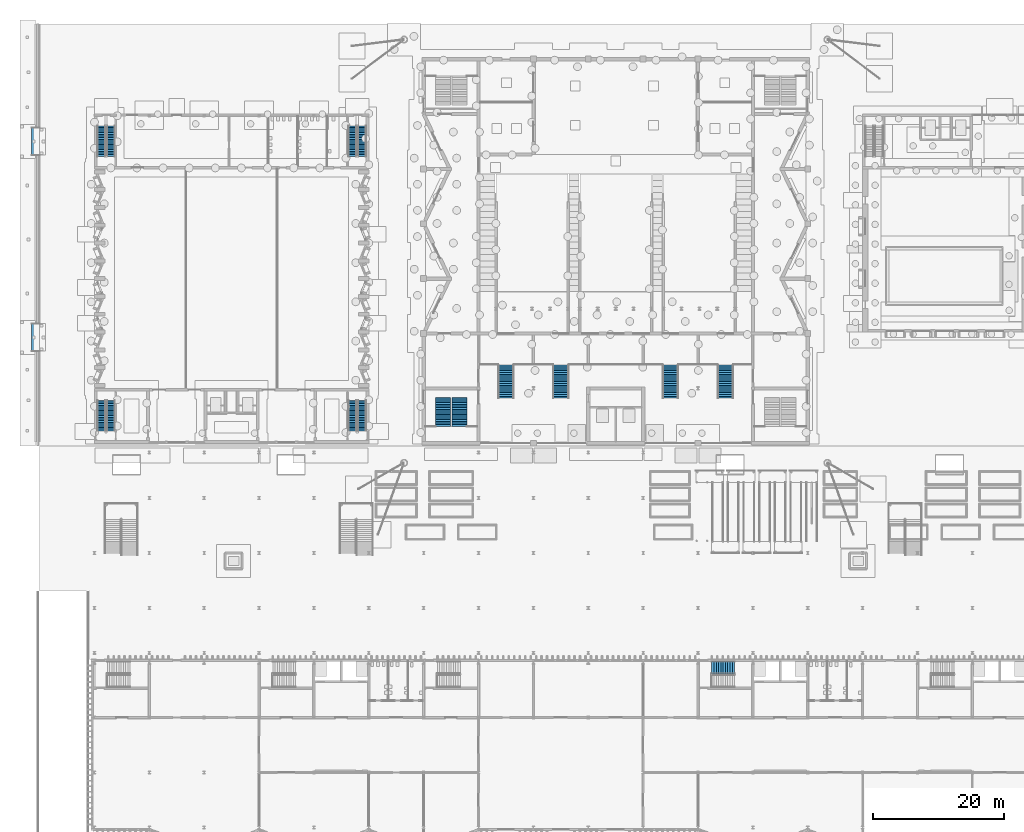
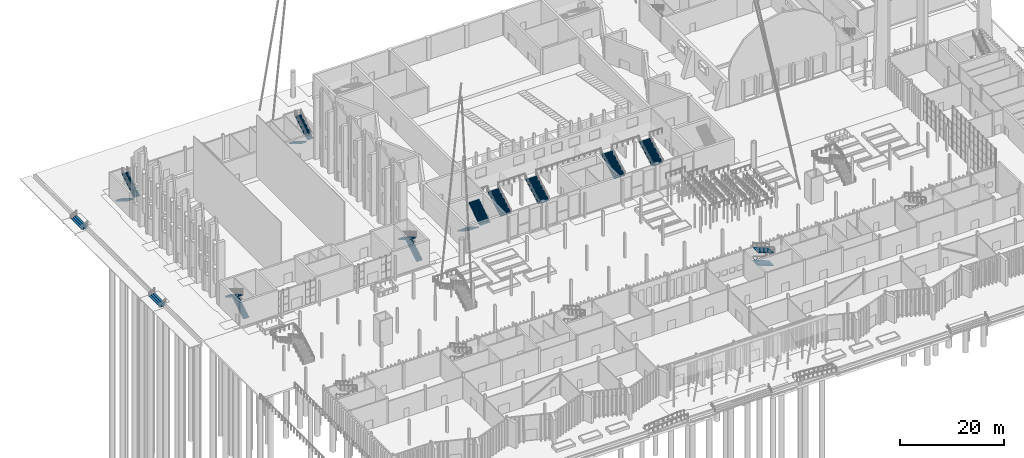
# One storey, part 78 of 108: 18 stair flights, 12 elements without a shape of their own.
"""IFC4 building model written with IfcOpenShell, lengths in metres."""

from ifc_helpers import new_model, si_unit, direction, frame, origin, place, context, subcontext, project, spatial, polyline, outline, extrude, material, type_object, element, aggregate, save


model = new_model("IFC4")

# Units and contexts
model_context = context("Model", 3, precision=1e-05, world=origin(), true_north=direction((0.0, 1.0)))
body_context = subcontext(model_context, "Body", "Model", "MODEL_VIEW")
ifc_project = project(units=[si_unit("LENGTHUNIT", "METRE"), si_unit("AREAUNIT", "SQUARE_METRE"), si_unit("VOLUMEUNIT", "CUBIC_METRE"), si_unit("PLANEANGLEUNIT", "RADIAN"), si_unit("MASSUNIT", "GRAM", prefix="KILO")], contexts=[model_context])

# Site, building, storey
site_placement = place(None, origin())
site = spatial("IfcSite", under=ifc_project, at=site_placement, CompositionType="ELEMENT")
building_placement = place(site_placement, origin())
building = spatial("IfcBuilding", under=site, at=building_placement, Name="Cresset Court Congress Hotel", CompositionType="ELEMENT")
storey_placement = place(building_placement, origin())
storey = spatial("IfcBuildingStorey", under=building, at=storey_placement, Name="L00", CompositionType="ELEMENT", Elevation=0.0)

# Stair, stair flights
ifc_material_1 = material(Name="Concrete C40", Category="concrete")
stair_type_1 = type_object("IfcStairType", Name="Core stair", PredefinedType="STRAIGHT_RUN_STAIR", material=ifc_material_1)
stair_1_placement = place(storey_placement, origin())
stair_1 = element("IfcStair", 1, at=stair_1_placement, inside=storey, type_object=stair_type_1, Name="Stair ST-C1 L00", PredefinedType="STRAIGHT_RUN_STAIR")
ifc_material_2 = material(Name="Concrete C40", Category="concrete")
stair_flight_type_1 = type_object("IfcStairFlightType", Name="Core stair flight", PredefinedType="STRAIGHT", material=ifc_material_2)
stair_flight_1_placement = place(storey_placement, frame((61.75, 65.800048828125, 0.0), z_axis=(0.0, 0.0, 1.0), x_axis=(0.0, -1.0, 0.0)))
stair_flight_1 = element("IfcStairFlight", 2, at=stair_flight_1_placement, type_object=stair_flight_type_1, Name="C-ST flight 1", NumberOfRisers=18, NumberOfTreads=17, PredefinedType="STRAIGHT", RiserHeight=0.166666667, TreadLength=0.26, context=body_context, shape_type="SweptSolid", body=[
    extrude(outline(polyline([(0.0, 0.0), (0.0, 0.166748046875), (0.260009765625, 0.166748046875), (0.260009765625, 0.333251953125), (0.52001953125, 0.333251953125), (0.52001953125, 0.5), (0.780029296875, 0.5), (0.780029296875, 0.666748046875), (1.0400390625, 0.666748046875), (1.0400390625, 0.833251953125), (1.300048828125, 0.833251953125), (1.300048828125, 1.0), (1.56005859375, 1.0), (1.56005859375, 1.166748046875), (1.820068359375, 1.166748046875), (1.820068359375, 1.333251953125), (2.080078125, 1.333251953125), (2.080078125, 1.5), (2.340087890625, 1.5), (2.340087890625, 1.666748046875), (2.60009765625, 1.666748046875), (2.60009765625, 1.833251953125), (2.860107421875, 1.833251953125), (2.860107421875, 2.0), (3.1201171875, 2.0), (3.1201171875, 2.166748046875), (3.3798828125, 2.166748046875), (3.3798828125, 2.333251953125), (3.639892578125, 2.333251953125), (3.639892578125, 2.5), (3.89990234375, 2.5), (3.89990234375, 2.666748046875), (4.159912109375, 2.666748046875), (4.159912109375, 2.833251953125), (4.419921875, 2.833251953125), (4.419921875, 3.0), (4.419921875, 2.6552734375), (0.27783203125, 0.0), (0.0, 0.0)])), frame((0.0, 1.14990234375, 0.0), z_axis=(0.0, -1.0, 0.0), x_axis=(1.0, 0.0, 0.0)), (0.0, 0.0, 1.0), 2.300048828125),
])
stair_flight_2_placement = place(storey_placement, frame((64.25, 61.3798828125, 3.0), z_axis=(0.0, 0.0, 1.0), x_axis=(0.0, 1.0, 0.0)))
stair_flight_2 = element("IfcStairFlight", 3, at=stair_flight_2_placement, type_object=stair_flight_type_1, Name="C-ST flight 2", NumberOfRisers=18, NumberOfTreads=17, PredefinedType="STRAIGHT", RiserHeight=0.166666667, TreadLength=0.26, context=body_context, shape_type="SweptSolid", body=[
    extrude(outline(polyline([(0.0, 0.0), (0.0, 0.166748046875), (0.260009765625, 0.166748046875), (0.260009765625, 0.333251953125), (0.52001953125, 0.333251953125), (0.52001953125, 0.5), (0.780029296875, 0.5), (0.780029296875, 0.666748046875), (1.0400390625, 0.666748046875), (1.0400390625, 0.833251953125), (1.300048828125, 0.833251953125), (1.300048828125, 1.0), (1.56005859375, 1.0), (1.56005859375, 1.166748046875), (1.820068359375, 1.166748046875), (1.820068359375, 1.333251953125), (2.080078125, 1.333251953125), (2.080078125, 1.5), (2.340087890625, 1.5), (2.340087890625, 1.666748046875), (2.60009765625, 1.666748046875), (2.60009765625, 1.833251953125), (2.860107421875, 1.833251953125), (2.860107421875, 2.0), (3.1201171875, 2.0), (3.1201171875, 2.166748046875), (3.3798828125, 2.166748046875), (3.3798828125, 2.333251953125), (3.639892578125, 2.333251953125), (3.639892578125, 2.5), (3.89990234375, 2.5), (3.89990234375, 2.666748046875), (4.159912109375, 2.666748046875), (4.159912109375, 2.833251953125), (4.419921875, 2.833251953125), (4.419921875, 3.0), (4.419921875, 2.6552734375), (0.27783203125, 0.0), (0.0, 0.0)])), frame((0.0, 1.14990234375, 0.0), z_axis=(0.0, -1.0, 0.0), x_axis=(1.0, 0.0, 0.0)), (0.0, 0.0, 1.0), 2.300048828125),
])
aggregate(stair_1, [stair_flight_1, stair_flight_2])

# Stair, stair flight
ifc_material_3 = material(Name="Concrete C35", Category="concrete")
stair_type_2 = type_object("IfcStairType", Name="External stair 4 risers", PredefinedType="STRAIGHT_RUN_STAIR", material=ifc_material_3)
stair_2_placement = place(storey_placement, origin())
stair_2 = element("IfcStair", 4, at=stair_2_placement, inside=storey, type_object=stair_type_2, Name="Passage steps W01", PredefinedType="STRAIGHT_RUN_STAIR")
ifc_material_4 = material(Name="Concrete C35", Category="concrete")
stair_flight_type_2 = type_object("IfcStairFlightType", Name="Entrance step flight on grade", PredefinedType="STRAIGHT", material=ifc_material_4)
stair_flight_3_placement = place(storey_placement, frame((-1.199951171875, 75.0, -0.60009765625), z_axis=(0.0, 0.0, 1.0), x_axis=(1.0, 0.0, 0.0)))
stair_flight_3 = element("IfcStairFlight", 5, at=stair_flight_3_placement, type_object=stair_flight_type_2, Name="S-ST1 flight 1", NumberOfRisers=4, NumberOfTreads=3, PredefinedType="STRAIGHT", RiserHeight=0.15, TreadLength=0.4, context=body_context, shape_type="SweptSolid", body=[
    extrude(outline(polyline([(0.0, 0.0), (0.0, 0.14990234375), (0.39990234375, 0.14990234375), (0.39990234375, 0.300048828125), (0.800048828125, 0.300048828125), (0.800048828125, 0.449951171875), (1.199951171875, 0.449951171875), (1.199951171875, 0.60009765625), (1.199951171875, 0.02294921875), (1.138916015625, 0.0), (0.0, 0.0)])), frame((0.0, 2.10009765625, 0.0), z_axis=(0.0, -1.0, 0.0), x_axis=(1.0, 0.0, 0.0)), (0.0, 0.0, 1.0), 4.199951171875),
])
aggregate(stair_2, [stair_flight_3])

stair_3_placement = place(storey_placement, origin())
stair_3 = element("IfcStair", 6, at=stair_3_placement, inside=storey, type_object=stair_type_2, Name="Passage steps W02", PredefinedType="STRAIGHT_RUN_STAIR")
stair_flight_4_placement = place(storey_placement, frame((-1.199951171875, 105.0, -0.60009765625), z_axis=(0.0, 0.0, 1.0), x_axis=(1.0, 0.0, 0.0)))
stair_flight_4 = element("IfcStairFlight", 7, at=stair_flight_4_placement, type_object=stair_flight_type_2, Name="S-ST1 flight 1", NumberOfRisers=4, NumberOfTreads=3, PredefinedType="STRAIGHT", RiserHeight=0.15, TreadLength=0.4, context=body_context, shape_type="SweptSolid", body=[
    extrude(outline(polyline([(0.0, 0.0), (0.0, 0.14990234375), (0.39990234375, 0.14990234375), (0.39990234375, 0.300048828125), (0.800048828125, 0.300048828125), (0.800048828125, 0.449951171875), (1.199951171875, 0.449951171875), (1.199951171875, 0.60009765625), (1.199951171875, 0.02294921875), (1.138916015625, 0.0), (0.0, 0.0)])), frame((0.0, 2.10009765625, 0.0), z_axis=(0.0, -1.0, 0.0), x_axis=(1.0, 0.0, 0.0)), (0.0, 0.0, 1.0), 4.199951171875),
])
aggregate(stair_3, [stair_flight_4])

# Stair, stair flights
ifc_material_5 = material(Name="Half-turn stair 1300")
stair_type_3 = type_object("IfcStairType", Name="Half-turn stair 1300", PredefinedType="HALF_TURN_STAIR", material=ifc_material_5)
stair_4_placement = place(storey_placement, origin())
stair_4 = element("IfcStair", 8, at=stair_4_placement, inside=storey, type_object=stair_type_3, Name="L00 stair", PredefinedType="HALF_TURN_STAIR")
ifc_material_6 = material(Name="Stair flight 1300")
stair_flight_type_3 = type_object("IfcStairFlightType", Name="Stair flight 1300", PredefinedType="STRAIGHT", material=ifc_material_6)
stair_flight_5_placement = place(storey_placement, frame((10.89990234375, 60.699951171875, 0.0), z_axis=(0.0, 0.0, 1.0), x_axis=(0.0, 1.0, 0.0)))
stair_flight_5 = element("IfcStairFlight", 9, at=stair_flight_5_placement, type_object=stair_flight_type_3, Name="ST-D1 flight 1", NumberOfRisers=19, NumberOfTreads=18, PredefinedType="STRAIGHT", RiserHeight=0.157894737, TreadLength=0.26, context=body_context, shape_type="SweptSolid", body=[
    extrude(outline(polyline([(0.0, 0.0), (0.0, 0.157958984375), (0.260009765625, 0.157958984375), (0.260009765625, 0.315673828125), (0.52001953125, 0.315673828125), (0.52001953125, 0.4736328125), (0.780029296875, 0.4736328125), (0.780029296875, 0.631591796875), (1.0400390625, 0.631591796875), (1.0400390625, 0.78955078125), (1.300048828125, 0.78955078125), (1.300048828125, 0.947265625), (1.56005859375, 0.947265625), (1.56005859375, 1.105224609375), (1.820068359375, 1.105224609375), (1.820068359375, 1.26318359375), (2.080078125, 1.26318359375), (2.080078125, 1.421142578125), (2.340087890625, 1.421142578125), (2.340087890625, 1.578857421875), (2.60009765625, 1.578857421875), (2.60009765625, 1.73681640625), (2.860107421875, 1.73681640625), (2.860107421875, 1.894775390625), (3.1201171875, 1.894775390625), (3.1201171875, 2.052734375), (3.3798828125, 2.052734375), (3.3798828125, 2.21044921875), (3.639892578125, 2.21044921875), (3.639892578125, 2.368408203125), (3.89990234375, 2.368408203125), (3.89990234375, 2.5263671875), (4.159912109375, 2.5263671875), (4.159912109375, 2.684326171875), (4.419921875, 2.684326171875), (4.419921875, 2.842041015625), (4.679931640625, 2.842041015625), (4.679931640625, 3.0), (4.679931640625, 2.666748046875), (0.288818359375, 0.0), (0.0, 0.0)])), frame((0.0, 0.64990234375, 0.0), z_axis=(0.0, -1.0, 0.0), x_axis=(1.0, 0.0, 0.0)), (0.0, 0.0, 1.0), 1.300048828125),
])
stair_flight_6_placement = place(storey_placement, frame((9.449951171875, 65.3798828125, 3.0), z_axis=(0.0, 0.0, 1.0), x_axis=(0.0, -1.0, 0.0)))
stair_flight_6 = element("IfcStairFlight", 10, at=stair_flight_6_placement, type_object=stair_flight_type_3, Name="ST-D1 flight 2", NumberOfRisers=19, NumberOfTreads=18, PredefinedType="STRAIGHT", RiserHeight=0.157894737, TreadLength=0.26, context=body_context, shape_type="SweptSolid", body=[
    extrude(outline(polyline([(0.0, 0.0), (0.0, 0.157958984375), (0.260009765625, 0.157958984375), (0.260009765625, 0.315673828125), (0.52001953125, 0.315673828125), (0.52001953125, 0.4736328125), (0.780029296875, 0.4736328125), (0.780029296875, 0.631591796875), (1.0400390625, 0.631591796875), (1.0400390625, 0.78955078125), (1.300048828125, 0.78955078125), (1.300048828125, 0.947265625), (1.56005859375, 0.947265625), (1.56005859375, 1.105224609375), (1.820068359375, 1.105224609375), (1.820068359375, 1.26318359375), (2.080078125, 1.26318359375), (2.080078125, 1.421142578125), (2.340087890625, 1.421142578125), (2.340087890625, 1.578857421875), (2.60009765625, 1.578857421875), (2.60009765625, 1.73681640625), (2.860107421875, 1.73681640625), (2.860107421875, 1.894775390625), (3.1201171875, 1.894775390625), (3.1201171875, 2.052734375), (3.3798828125, 2.052734375), (3.3798828125, 2.21044921875), (3.639892578125, 2.21044921875), (3.639892578125, 2.368408203125), (3.89990234375, 2.368408203125), (3.89990234375, 2.5263671875), (4.159912109375, 2.5263671875), (4.159912109375, 2.684326171875), (4.419921875, 2.684326171875), (4.419921875, 2.842041015625), (4.679931640625, 2.842041015625), (4.679931640625, 3.0), (4.679931640625, 2.666748046875), (0.288818359375, 0.0), (0.0, 0.0)])), frame((0.0, 0.64990234375, 0.0), z_axis=(0.0, -1.0, 0.0), x_axis=(1.0, 0.0, 0.0)), (0.0, 0.0, 1.0), 1.300048828125),
])
aggregate(stair_4, [stair_flight_5, stair_flight_6])

stair_5_placement = place(storey_placement, origin())
stair_5 = element("IfcStair", 11, at=stair_5_placement, inside=storey, type_object=stair_type_3, Name="L00 stair", PredefinedType="HALF_TURN_STAIR")
stair_flight_7_placement = place(storey_placement, frame((49.35009765625, 60.699951171875, 0.0), z_axis=(0.0, 0.0, 1.0), x_axis=(0.0, 1.0, 0.0)))
stair_flight_7 = element("IfcStairFlight", 12, at=stair_flight_7_placement, type_object=stair_flight_type_3, Name="ST-D2 flight 1", NumberOfRisers=19, NumberOfTreads=18, PredefinedType="STRAIGHT", RiserHeight=0.157894737, TreadLength=0.26, context=body_context, shape_type="SweptSolid", body=[
    extrude(outline(polyline([(0.0, 0.0), (0.0, 0.157958984375), (0.260009765625, 0.157958984375), (0.260009765625, 0.315673828125), (0.52001953125, 0.315673828125), (0.52001953125, 0.4736328125), (0.780029296875, 0.4736328125), (0.780029296875, 0.631591796875), (1.0400390625, 0.631591796875), (1.0400390625, 0.78955078125), (1.300048828125, 0.78955078125), (1.300048828125, 0.947265625), (1.56005859375, 0.947265625), (1.56005859375, 1.105224609375), (1.820068359375, 1.105224609375), (1.820068359375, 1.26318359375), (2.080078125, 1.26318359375), (2.080078125, 1.421142578125), (2.340087890625, 1.421142578125), (2.340087890625, 1.578857421875), (2.60009765625, 1.578857421875), (2.60009765625, 1.73681640625), (2.860107421875, 1.73681640625), (2.860107421875, 1.894775390625), (3.1201171875, 1.894775390625), (3.1201171875, 2.052734375), (3.3798828125, 2.052734375), (3.3798828125, 2.21044921875), (3.639892578125, 2.21044921875), (3.639892578125, 2.368408203125), (3.89990234375, 2.368408203125), (3.89990234375, 2.5263671875), (4.159912109375, 2.5263671875), (4.159912109375, 2.684326171875), (4.419921875, 2.684326171875), (4.419921875, 2.842041015625), (4.679931640625, 2.842041015625), (4.679931640625, 3.0), (4.679931640625, 2.666748046875), (0.288818359375, 0.0), (0.0, 0.0)])), frame((0.0, 0.64990234375, 0.0), z_axis=(0.0, -1.0, 0.0), x_axis=(1.0, 0.0, 0.0)), (0.0, 0.0, 1.0), 1.300048828125),
])
stair_flight_8_placement = place(storey_placement, frame((47.89990234375, 65.3798828125, 3.0), z_axis=(0.0, 0.0, 1.0), x_axis=(0.0, -1.0, 0.0)))
stair_flight_8 = element("IfcStairFlight", 13, at=stair_flight_8_placement, type_object=stair_flight_type_3, Name="ST-D2 flight 2", NumberOfRisers=19, NumberOfTreads=18, PredefinedType="STRAIGHT", RiserHeight=0.157894737, TreadLength=0.26, context=body_context, shape_type="SweptSolid", body=[
    extrude(outline(polyline([(0.0, 0.0), (0.0, 0.157958984375), (0.260009765625, 0.157958984375), (0.260009765625, 0.315673828125), (0.52001953125, 0.315673828125), (0.52001953125, 0.4736328125), (0.780029296875, 0.4736328125), (0.780029296875, 0.631591796875), (1.0400390625, 0.631591796875), (1.0400390625, 0.78955078125), (1.300048828125, 0.78955078125), (1.300048828125, 0.947265625), (1.56005859375, 0.947265625), (1.56005859375, 1.105224609375), (1.820068359375, 1.105224609375), (1.820068359375, 1.26318359375), (2.080078125, 1.26318359375), (2.080078125, 1.421142578125), (2.340087890625, 1.421142578125), (2.340087890625, 1.578857421875), (2.60009765625, 1.578857421875), (2.60009765625, 1.73681640625), (2.860107421875, 1.73681640625), (2.860107421875, 1.894775390625), (3.1201171875, 1.894775390625), (3.1201171875, 2.052734375), (3.3798828125, 2.052734375), (3.3798828125, 2.21044921875), (3.639892578125, 2.21044921875), (3.639892578125, 2.368408203125), (3.89990234375, 2.368408203125), (3.89990234375, 2.5263671875), (4.159912109375, 2.5263671875), (4.159912109375, 2.684326171875), (4.419921875, 2.684326171875), (4.419921875, 2.842041015625), (4.679931640625, 2.842041015625), (4.679931640625, 3.0), (4.679931640625, 2.666748046875), (0.288818359375, 0.0), (0.0, 0.0)])), frame((0.0, 0.64990234375, 0.0), z_axis=(0.0, -1.0, 0.0), x_axis=(1.0, 0.0, 0.0)), (0.0, 0.0, 1.0), 1.300048828125),
])
aggregate(stair_5, [stair_flight_7, stair_flight_8])

stair_6_placement = place(storey_placement, origin())
stair_6 = element("IfcStair", 14, at=stair_6_placement, inside=storey, type_object=stair_type_3, Name="L00 stair", PredefinedType="HALF_TURN_STAIR")
stair_flight_9_placement = place(storey_placement, frame((9.449951171875, 107.39990234375, 0.0), z_axis=(0.0, 0.0, 1.0), x_axis=(0.0, -1.0, 0.0)))
stair_flight_9 = element("IfcStairFlight", 15, at=stair_flight_9_placement, type_object=stair_flight_type_3, Name="ST-D3 flight 1", NumberOfRisers=19, NumberOfTreads=18, PredefinedType="STRAIGHT", RiserHeight=0.157894737, TreadLength=0.26, context=body_context, shape_type="SweptSolid", body=[
    extrude(outline(polyline([(0.0, 0.0), (0.0, 0.157958984375), (0.260009765625, 0.157958984375), (0.260009765625, 0.315673828125), (0.52001953125, 0.315673828125), (0.52001953125, 0.4736328125), (0.780029296875, 0.4736328125), (0.780029296875, 0.631591796875), (1.0400390625, 0.631591796875), (1.0400390625, 0.78955078125), (1.300048828125, 0.78955078125), (1.300048828125, 0.947265625), (1.56005859375, 0.947265625), (1.56005859375, 1.105224609375), (1.820068359375, 1.105224609375), (1.820068359375, 1.26318359375), (2.080078125, 1.26318359375), (2.080078125, 1.421142578125), (2.340087890625, 1.421142578125), (2.340087890625, 1.578857421875), (2.60009765625, 1.578857421875), (2.60009765625, 1.73681640625), (2.860107421875, 1.73681640625), (2.860107421875, 1.894775390625), (3.1201171875, 1.894775390625), (3.1201171875, 2.052734375), (3.3798828125, 2.052734375), (3.3798828125, 2.21044921875), (3.639892578125, 2.21044921875), (3.639892578125, 2.368408203125), (3.89990234375, 2.368408203125), (3.89990234375, 2.5263671875), (4.159912109375, 2.5263671875), (4.159912109375, 2.684326171875), (4.419921875, 2.684326171875), (4.419921875, 2.842041015625), (4.679931640625, 2.842041015625), (4.679931640625, 3.0), (4.679931640625, 2.666748046875), (0.288818359375, 0.0), (0.0, 0.0)])), frame((0.0, 0.64990234375, 0.0), z_axis=(0.0, -1.0, 0.0), x_axis=(1.0, 0.0, 0.0)), (0.0, 0.0, 1.0), 1.300048828125),
])
stair_flight_10_placement = place(storey_placement, frame((10.89990234375, 102.719970703125, 3.0), z_axis=(0.0, 0.0, 1.0), x_axis=(0.0, 1.0, 0.0)))
stair_flight_10 = element("IfcStairFlight", 16, at=stair_flight_10_placement, type_object=stair_flight_type_3, Name="ST-D3 flight 2", NumberOfRisers=19, NumberOfTreads=18, PredefinedType="STRAIGHT", RiserHeight=0.157894737, TreadLength=0.26, context=body_context, shape_type="SweptSolid", body=[
    extrude(outline(polyline([(0.0, 0.0), (0.0, 0.157958984375), (0.260009765625, 0.157958984375), (0.260009765625, 0.315673828125), (0.52001953125, 0.315673828125), (0.52001953125, 0.4736328125), (0.780029296875, 0.4736328125), (0.780029296875, 0.631591796875), (1.0400390625, 0.631591796875), (1.0400390625, 0.78955078125), (1.300048828125, 0.78955078125), (1.300048828125, 0.947265625), (1.56005859375, 0.947265625), (1.56005859375, 1.105224609375), (1.820068359375, 1.105224609375), (1.820068359375, 1.26318359375), (2.080078125, 1.26318359375), (2.080078125, 1.421142578125), (2.340087890625, 1.421142578125), (2.340087890625, 1.578857421875), (2.60009765625, 1.578857421875), (2.60009765625, 1.73681640625), (2.860107421875, 1.73681640625), (2.860107421875, 1.894775390625), (3.1201171875, 1.894775390625), (3.1201171875, 2.052734375), (3.3798828125, 2.052734375), (3.3798828125, 2.21044921875), (3.639892578125, 2.21044921875), (3.639892578125, 2.368408203125), (3.89990234375, 2.368408203125), (3.89990234375, 2.5263671875), (4.159912109375, 2.5263671875), (4.159912109375, 2.684326171875), (4.419921875, 2.684326171875), (4.419921875, 2.842041015625), (4.679931640625, 2.842041015625), (4.679931640625, 3.0), (4.679931640625, 2.666748046875), (0.288818359375, 0.0), (0.0, 0.0)])), frame((0.0, 0.64990234375, 0.0), z_axis=(0.0, -1.0, 0.0), x_axis=(1.0, 0.0, 0.0)), (0.0, 0.0, 1.0), 1.300048828125),
])
aggregate(stair_6, [stair_flight_9, stair_flight_10])

stair_7_placement = place(storey_placement, origin())
stair_7 = element("IfcStair", 17, at=stair_7_placement, inside=storey, type_object=stair_type_3, Name="L00 stair", PredefinedType="HALF_TURN_STAIR")
stair_flight_11_placement = place(storey_placement, frame((47.89990234375, 107.39990234375, 0.0), z_axis=(0.0, 0.0, 1.0), x_axis=(0.0, -1.0, 0.0)))
stair_flight_11 = element("IfcStairFlight", 18, at=stair_flight_11_placement, type_object=stair_flight_type_3, Name="ST-D4 flight 1", NumberOfRisers=19, NumberOfTreads=18, PredefinedType="STRAIGHT", RiserHeight=0.157894737, TreadLength=0.26, context=body_context, shape_type="SweptSolid", body=[
    extrude(outline(polyline([(0.0, 0.0), (0.0, 0.157958984375), (0.260009765625, 0.157958984375), (0.260009765625, 0.315673828125), (0.52001953125, 0.315673828125), (0.52001953125, 0.4736328125), (0.780029296875, 0.4736328125), (0.780029296875, 0.631591796875), (1.0400390625, 0.631591796875), (1.0400390625, 0.78955078125), (1.300048828125, 0.78955078125), (1.300048828125, 0.947265625), (1.56005859375, 0.947265625), (1.56005859375, 1.105224609375), (1.820068359375, 1.105224609375), (1.820068359375, 1.26318359375), (2.080078125, 1.26318359375), (2.080078125, 1.421142578125), (2.340087890625, 1.421142578125), (2.340087890625, 1.578857421875), (2.60009765625, 1.578857421875), (2.60009765625, 1.73681640625), (2.860107421875, 1.73681640625), (2.860107421875, 1.894775390625), (3.1201171875, 1.894775390625), (3.1201171875, 2.052734375), (3.3798828125, 2.052734375), (3.3798828125, 2.21044921875), (3.639892578125, 2.21044921875), (3.639892578125, 2.368408203125), (3.89990234375, 2.368408203125), (3.89990234375, 2.5263671875), (4.159912109375, 2.5263671875), (4.159912109375, 2.684326171875), (4.419921875, 2.684326171875), (4.419921875, 2.842041015625), (4.679931640625, 2.842041015625), (4.679931640625, 3.0), (4.679931640625, 2.666748046875), (0.288818359375, 0.0), (0.0, 0.0)])), frame((0.0, 0.64990234375, 0.0), z_axis=(0.0, -1.0, 0.0), x_axis=(1.0, 0.0, 0.0)), (0.0, 0.0, 1.0), 1.300048828125),
])
stair_flight_12_placement = place(storey_placement, frame((49.35009765625, 102.719970703125, 3.0), z_axis=(0.0, 0.0, 1.0), x_axis=(0.0, 1.0, 0.0)))
stair_flight_12 = element("IfcStairFlight", 19, at=stair_flight_12_placement, type_object=stair_flight_type_3, Name="ST-D4 flight 2", NumberOfRisers=19, NumberOfTreads=18, PredefinedType="STRAIGHT", RiserHeight=0.157894737, TreadLength=0.26, context=body_context, shape_type="SweptSolid", body=[
    extrude(outline(polyline([(0.0, 0.0), (0.0, 0.157958984375), (0.260009765625, 0.157958984375), (0.260009765625, 0.315673828125), (0.52001953125, 0.315673828125), (0.52001953125, 0.4736328125), (0.780029296875, 0.4736328125), (0.780029296875, 0.631591796875), (1.0400390625, 0.631591796875), (1.0400390625, 0.78955078125), (1.300048828125, 0.78955078125), (1.300048828125, 0.947265625), (1.56005859375, 0.947265625), (1.56005859375, 1.105224609375), (1.820068359375, 1.105224609375), (1.820068359375, 1.26318359375), (2.080078125, 1.26318359375), (2.080078125, 1.421142578125), (2.340087890625, 1.421142578125), (2.340087890625, 1.578857421875), (2.60009765625, 1.578857421875), (2.60009765625, 1.73681640625), (2.860107421875, 1.73681640625), (2.860107421875, 1.894775390625), (3.1201171875, 1.894775390625), (3.1201171875, 2.052734375), (3.3798828125, 2.052734375), (3.3798828125, 2.21044921875), (3.639892578125, 2.21044921875), (3.639892578125, 2.368408203125), (3.89990234375, 2.368408203125), (3.89990234375, 2.5263671875), (4.159912109375, 2.5263671875), (4.159912109375, 2.684326171875), (4.419921875, 2.684326171875), (4.419921875, 2.842041015625), (4.679931640625, 2.842041015625), (4.679931640625, 3.0), (4.679931640625, 2.666748046875), (0.288818359375, 0.0), (0.0, 0.0)])), frame((0.0, 0.64990234375, 0.0), z_axis=(0.0, -1.0, 0.0), x_axis=(1.0, 0.0, 0.0)), (0.0, 0.0, 1.0), 1.300048828125),
])
aggregate(stair_7, [stair_flight_11, stair_flight_12])

ifc_material_7 = material(Name="Concrete C40", Category="concrete")
stair_type_4 = type_object("IfcStairType", Name="Dog-leg stair 1400 flights", PredefinedType="HALF_TURN_STAIR", material=ifc_material_7)
stair_8_placement = place(storey_placement, origin())
stair_8 = element("IfcStair", 20, at=stair_8_placement, inside=storey, type_object=stair_type_4, Name="L00 Stair ST-B4", PredefinedType="HALF_TURN_STAIR")
ifc_material_8 = material(Name="Concrete C40", Category="concrete")
stair_flight_type_4 = type_object("IfcStairFlightType", Name="Stair flight 1400", PredefinedType="STRAIGHT", material=ifc_material_8)
stair_flight_13_placement = place(storey_placement, frame((106.39990234375, 24.449951171875, 1.5), z_axis=(0.0, 0.0, 1.0), x_axis=(-1.0, 0.0, 0.0)))
stair_flight_13 = element("IfcStairFlight", 21, at=stair_flight_13_placement, type_object=stair_flight_type_4, Name="ST-B4 flight 2", NumberOfRisers=11, NumberOfTreads=10, PredefinedType="STRAIGHT", RiserHeight=0.136363636, TreadLength=0.35, context=body_context, shape_type="SweptSolid", body=[
    extrude(outline(polyline([(0.0, 0.0), (0.0, 0.136474609375), (0.35009765625, 0.136474609375), (0.35009765625, 0.272705078125), (0.699951171875, 0.272705078125), (0.699951171875, 0.4091796875), (1.050048828125, 0.4091796875), (1.050048828125, 0.54541015625), (1.39990234375, 0.54541015625), (1.39990234375, 0.681884765625), (1.75, 0.681884765625), (1.75, 0.818115234375), (2.10009765625, 0.818115234375), (2.10009765625, 0.95458984375), (2.449951171875, 0.95458984375), (2.449951171875, 1.0908203125), (2.800048828125, 1.0908203125), (2.800048828125, 1.227294921875), (3.14990234375, 1.227294921875), (3.14990234375, 1.363525390625), (3.5, 1.363525390625), (3.5, 1.5), (3.5, 1.20263671875), (0.412841796875, 0.0), (0.0, 0.0)])), frame((0.0, 0.949951171875, 0.0), z_axis=(0.0, -1.0, 0.0), x_axis=(1.0, 0.0, 0.0)), (0.0, 0.0, 1.0), 1.89990234375),
])
stair_flight_14_placement = place(storey_placement, frame((106.39990234375, 24.449951171875, 4.5), z_axis=(0.0, 0.0, 1.0), x_axis=(-1.0, 0.0, 0.0)))
stair_flight_14 = element("IfcStairFlight", 22, at=stair_flight_14_placement, type_object=stair_flight_type_4, Name="ST-B4 flight 4", NumberOfRisers=11, NumberOfTreads=10, PredefinedType="STRAIGHT", RiserHeight=0.136363636, TreadLength=0.35, context=body_context, shape_type="SweptSolid", body=[
    extrude(outline(polyline([(0.0, 0.0), (0.0, 0.136474609375), (0.35009765625, 0.136474609375), (0.35009765625, 0.272705078125), (0.699951171875, 0.272705078125), (0.699951171875, 0.4091796875), (1.050048828125, 0.4091796875), (1.050048828125, 0.54541015625), (1.39990234375, 0.54541015625), (1.39990234375, 0.681884765625), (1.75, 0.681884765625), (1.75, 0.818115234375), (2.10009765625, 0.818115234375), (2.10009765625, 0.95458984375), (2.449951171875, 0.95458984375), (2.449951171875, 1.0908203125), (2.800048828125, 1.0908203125), (2.800048828125, 1.227294921875), (3.14990234375, 1.227294921875), (3.14990234375, 1.363525390625), (3.5, 1.363525390625), (3.5, 1.5), (3.5, 1.20263671875), (0.412841796875, 0.0), (0.0, 0.0)])), frame((0.0, 0.949951171875, 0.0), z_axis=(0.0, -1.0, 0.0), x_axis=(1.0, 0.0, 0.0)), (0.0, 0.0, 1.0), 1.89990234375),
])
aggregate(stair_8, [stair_flight_13, stair_flight_14])

# Stair, stair flight
ifc_material_9 = material(Name="Concrete C40", Category="concrete")
stair_type_5 = type_object("IfcStairType", Name="Vomitory stair", PredefinedType="STRAIGHT_RUN_STAIR", material=ifc_material_9)
stair_9_placement = place(storey_placement, origin())
stair_9 = element("IfcStair", 23, at=stair_9_placement, inside=storey, type_object=stair_type_5, Name="Vomitory stair VS-1", PredefinedType="STRAIGHT_RUN_STAIR")
ifc_material_10 = material(Name="Concrete C40", Category="concrete")
stair_flight_type_5 = type_object("IfcStairFlightType", Name="Vomitory stair flight", PredefinedType="STRAIGHT", material=ifc_material_10)
stair_flight_15_placement = place(storey_placement, frame((71.39990234375, 65.7099609375, 0.0), z_axis=(0.0, 0.0, 1.0), x_axis=(0.0, 1.0, 0.0)))
stair_flight_15 = element("IfcStairFlight", 24, at=stair_flight_15_placement, type_object=stair_flight_type_5, Name="C-VS flight 1", NumberOfRisers=19, NumberOfTreads=18, PredefinedType="STRAIGHT", RiserHeight=0.157894737, TreadLength=0.28, context=body_context, shape_type="SweptSolid", body=[
    extrude(outline(polyline([(0.0, 0.0), (0.0, 0.157958984375), (0.280029296875, 0.157958984375), (0.280029296875, 0.315673828125), (0.56005859375, 0.315673828125), (0.56005859375, 0.4736328125), (0.840087890625, 0.4736328125), (0.840087890625, 0.631591796875), (1.1201171875, 0.631591796875), (1.1201171875, 0.78955078125), (1.39990234375, 0.78955078125), (1.39990234375, 0.947265625), (1.679931640625, 0.947265625), (1.679931640625, 1.105224609375), (1.9599609375, 1.105224609375), (1.9599609375, 1.26318359375), (2.239990234375, 1.26318359375), (2.239990234375, 1.421142578125), (2.52001953125, 1.421142578125), (2.52001953125, 1.578857421875), (2.800048828125, 1.578857421875), (2.800048828125, 1.73681640625), (3.080078125, 1.73681640625), (3.080078125, 1.894775390625), (3.360107421875, 1.894775390625), (3.360107421875, 2.052734375), (3.639892578125, 2.052734375), (3.639892578125, 2.21044921875), (3.919921875, 2.21044921875), (3.919921875, 2.368408203125), (4.199951171875, 2.368408203125), (4.199951171875, 2.5263671875), (4.47998046875, 2.5263671875), (4.47998046875, 2.684326171875), (4.760009765625, 2.684326171875), (4.760009765625, 2.842041015625), (5.0400390625, 2.842041015625), (5.0400390625, 3.0), (5.0400390625, 2.669921875), (0.30517578125, 0.0), (0.0, 0.0)])), frame((0.0, 1.199951171875, 0.0), z_axis=(0.0, -1.0, 0.0), x_axis=(1.0, 0.0, 0.0)), (0.0, 0.0, 1.0), 2.39990234375),
])
aggregate(stair_9, [stair_flight_15])

stair_10_placement = place(storey_placement, origin())
stair_10 = element("IfcStair", 25, at=stair_10_placement, inside=storey, type_object=stair_type_5, Name="Vomitory stair VS-2", PredefinedType="STRAIGHT_RUN_STAIR")
stair_flight_16_placement = place(storey_placement, frame((79.800048828125, 65.7099609375, 0.0), z_axis=(0.0, 0.0, 1.0), x_axis=(0.0, 1.0, 0.0)))
stair_flight_16 = element("IfcStairFlight", 26, at=stair_flight_16_placement, type_object=stair_flight_type_5, Name="C-VS flight 1", NumberOfRisers=19, NumberOfTreads=18, PredefinedType="STRAIGHT", RiserHeight=0.157894737, TreadLength=0.28, context=body_context, shape_type="SweptSolid", body=[
    extrude(outline(polyline([(0.0, 0.0), (0.0, 0.157958984375), (0.280029296875, 0.157958984375), (0.280029296875, 0.315673828125), (0.56005859375, 0.315673828125), (0.56005859375, 0.4736328125), (0.840087890625, 0.4736328125), (0.840087890625, 0.631591796875), (1.1201171875, 0.631591796875), (1.1201171875, 0.78955078125), (1.39990234375, 0.78955078125), (1.39990234375, 0.947265625), (1.679931640625, 0.947265625), (1.679931640625, 1.105224609375), (1.9599609375, 1.105224609375), (1.9599609375, 1.26318359375), (2.239990234375, 1.26318359375), (2.239990234375, 1.421142578125), (2.52001953125, 1.421142578125), (2.52001953125, 1.578857421875), (2.800048828125, 1.578857421875), (2.800048828125, 1.73681640625), (3.080078125, 1.73681640625), (3.080078125, 1.894775390625), (3.360107421875, 1.894775390625), (3.360107421875, 2.052734375), (3.639892578125, 2.052734375), (3.639892578125, 2.21044921875), (3.919921875, 2.21044921875), (3.919921875, 2.368408203125), (4.199951171875, 2.368408203125), (4.199951171875, 2.5263671875), (4.47998046875, 2.5263671875), (4.47998046875, 2.684326171875), (4.760009765625, 2.684326171875), (4.760009765625, 2.842041015625), (5.0400390625, 2.842041015625), (5.0400390625, 3.0), (5.0400390625, 2.669921875), (0.30517578125, 0.0), (0.0, 0.0)])), frame((0.0, 1.199951171875, 0.0), z_axis=(0.0, -1.0, 0.0), x_axis=(1.0, 0.0, 0.0)), (0.0, 0.0, 1.0), 2.39990234375),
])
aggregate(stair_10, [stair_flight_16])

stair_11_placement = place(storey_placement, origin())
stair_11 = element("IfcStair", 27, at=stair_11_placement, inside=storey, type_object=stair_type_5, Name="Vomitory stair VS-3", PredefinedType="STRAIGHT_RUN_STAIR")
stair_flight_17_placement = place(storey_placement, frame((96.60009765625, 65.7099609375, 0.0), z_axis=(0.0, 0.0, 1.0), x_axis=(0.0, 1.0, 0.0)))
stair_flight_17 = element("IfcStairFlight", 28, at=stair_flight_17_placement, type_object=stair_flight_type_5, Name="C-VS flight 1", NumberOfRisers=19, NumberOfTreads=18, PredefinedType="STRAIGHT", RiserHeight=0.157894737, TreadLength=0.28, context=body_context, shape_type="SweptSolid", body=[
    extrude(outline(polyline([(0.0, 0.0), (0.0, 0.157958984375), (0.280029296875, 0.157958984375), (0.280029296875, 0.315673828125), (0.56005859375, 0.315673828125), (0.56005859375, 0.4736328125), (0.840087890625, 0.4736328125), (0.840087890625, 0.631591796875), (1.1201171875, 0.631591796875), (1.1201171875, 0.78955078125), (1.39990234375, 0.78955078125), (1.39990234375, 0.947265625), (1.679931640625, 0.947265625), (1.679931640625, 1.105224609375), (1.9599609375, 1.105224609375), (1.9599609375, 1.26318359375), (2.239990234375, 1.26318359375), (2.239990234375, 1.421142578125), (2.52001953125, 1.421142578125), (2.52001953125, 1.578857421875), (2.800048828125, 1.578857421875), (2.800048828125, 1.73681640625), (3.080078125, 1.73681640625), (3.080078125, 1.894775390625), (3.360107421875, 1.894775390625), (3.360107421875, 2.052734375), (3.639892578125, 2.052734375), (3.639892578125, 2.21044921875), (3.919921875, 2.21044921875), (3.919921875, 2.368408203125), (4.199951171875, 2.368408203125), (4.199951171875, 2.5263671875), (4.47998046875, 2.5263671875), (4.47998046875, 2.684326171875), (4.760009765625, 2.684326171875), (4.760009765625, 2.842041015625), (5.0400390625, 2.842041015625), (5.0400390625, 3.0), (5.0400390625, 2.669921875), (0.30517578125, 0.0), (0.0, 0.0)])), frame((0.0, 1.199951171875, 0.0), z_axis=(0.0, -1.0, 0.0), x_axis=(1.0, 0.0, 0.0)), (0.0, 0.0, 1.0), 2.39990234375),
])
aggregate(stair_11, [stair_flight_17])

stair_12_placement = place(storey_placement, origin())
stair_12 = element("IfcStair", 29, at=stair_12_placement, inside=storey, type_object=stair_type_5, Name="Vomitory stair VS-4", PredefinedType="STRAIGHT_RUN_STAIR")
stair_flight_18_placement = place(storey_placement, frame((105.0, 65.7099609375, 0.0), z_axis=(0.0, 0.0, 1.0), x_axis=(0.0, 1.0, 0.0)))
stair_flight_18 = element("IfcStairFlight", 30, at=stair_flight_18_placement, type_object=stair_flight_type_5, Name="C-VS flight 1", NumberOfRisers=19, NumberOfTreads=18, PredefinedType="STRAIGHT", RiserHeight=0.157894737, TreadLength=0.28, context=body_context, shape_type="SweptSolid", body=[
    extrude(outline(polyline([(0.0, 0.0), (0.0, 0.157958984375), (0.280029296875, 0.157958984375), (0.280029296875, 0.315673828125), (0.56005859375, 0.315673828125), (0.56005859375, 0.4736328125), (0.840087890625, 0.4736328125), (0.840087890625, 0.631591796875), (1.1201171875, 0.631591796875), (1.1201171875, 0.78955078125), (1.39990234375, 0.78955078125), (1.39990234375, 0.947265625), (1.679931640625, 0.947265625), (1.679931640625, 1.105224609375), (1.9599609375, 1.105224609375), (1.9599609375, 1.26318359375), (2.239990234375, 1.26318359375), (2.239990234375, 1.421142578125), (2.52001953125, 1.421142578125), (2.52001953125, 1.578857421875), (2.800048828125, 1.578857421875), (2.800048828125, 1.73681640625), (3.080078125, 1.73681640625), (3.080078125, 1.894775390625), (3.360107421875, 1.894775390625), (3.360107421875, 2.052734375), (3.639892578125, 2.052734375), (3.639892578125, 2.21044921875), (3.919921875, 2.21044921875), (3.919921875, 2.368408203125), (4.199951171875, 2.368408203125), (4.199951171875, 2.5263671875), (4.47998046875, 2.5263671875), (4.47998046875, 2.684326171875), (4.760009765625, 2.684326171875), (4.760009765625, 2.842041015625), (5.0400390625, 2.842041015625), (5.0400390625, 3.0), (5.0400390625, 2.669921875), (0.30517578125, 0.0), (0.0, 0.0)])), frame((0.0, 1.199951171875, 0.0), z_axis=(0.0, -1.0, 0.0), x_axis=(1.0, 0.0, 0.0)), (0.0, 0.0, 1.0), 2.39990234375),
])
aggregate(stair_12, [stair_flight_18])

save(model, "model.ifc")
